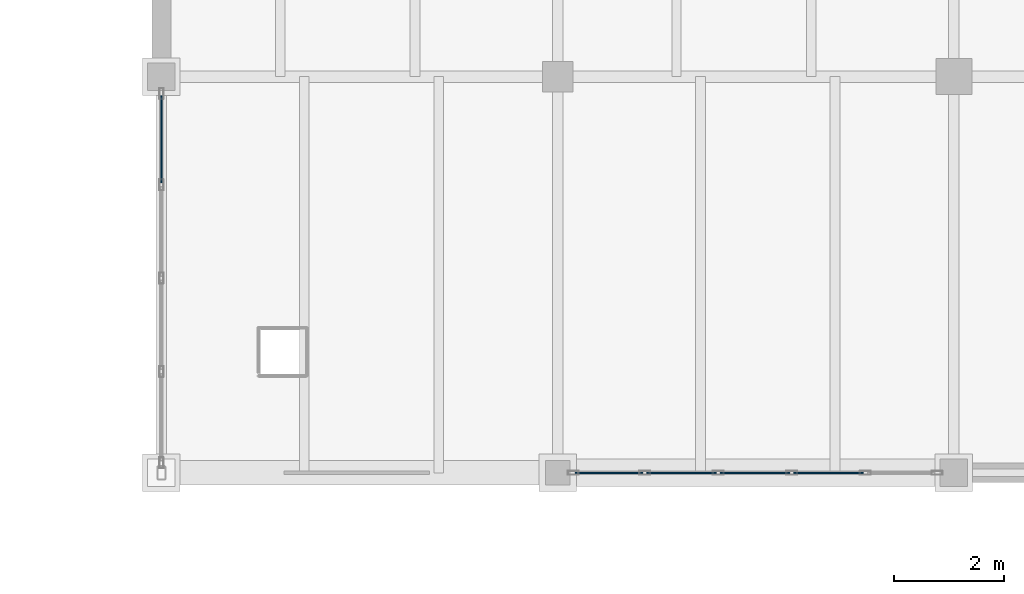
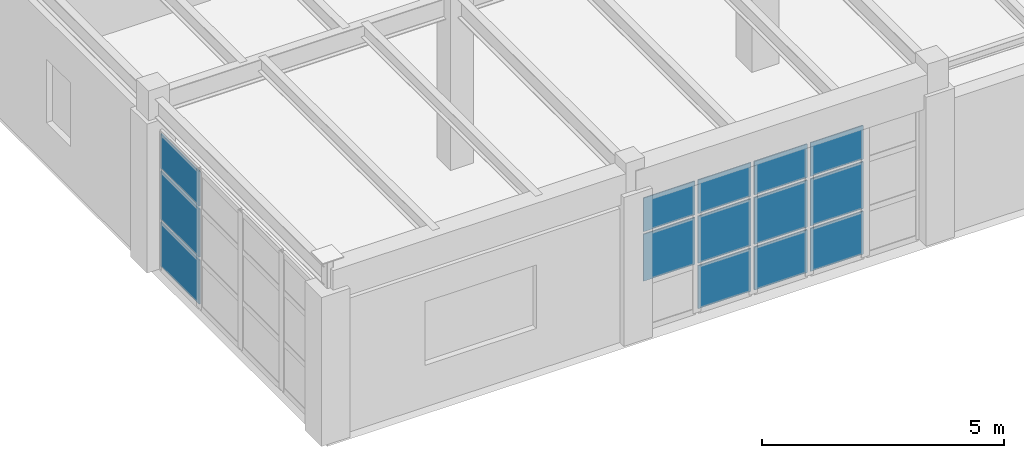
# One storey, part 113 of 137: 14 plates, 2 elements without a shape of their own.
"""IFC4 building model written with IfcOpenShell, lengths in metres."""

from ifc_helpers import new_model, si_unit, direction, frame, origin, origin_2d, place, context, subcontext, project, spatial, rectangle, extrude, material, layer, layer_set, type_object, element, aggregate, save


model = new_model("IFC4")

# Units and contexts
model_context = context("Model", 3, precision=1e-05, world=origin(), true_north=direction((0.0, 1.0)))
body_context = subcontext(model_context, "Body", "Model", "MODEL_VIEW")
ifc_project = project(units=[si_unit("LENGTHUNIT", "METRE"), si_unit("AREAUNIT", "SQUARE_METRE"), si_unit("VOLUMEUNIT", "CUBIC_METRE"), si_unit("PLANEANGLEUNIT", "RADIAN"), si_unit("MASSUNIT", "GRAM", prefix="KILO")], contexts=[model_context])

# Site, building, storey
site_placement = place(None, origin())
site = spatial("IfcSite", under=ifc_project, at=site_placement, CompositionType="ELEMENT")
building_placement = place(site_placement, origin())
building = spatial("IfcBuilding", under=site, at=building_placement, Name="Kemerveld Promenade Tramway Depot", CompositionType="ELEMENT")
storey_placement = place(building_placement, frame((0.0, 0.0, 5.39990234375)))
storey = spatial("IfcBuildingStorey", under=building, at=storey_placement, Name="L01", CompositionType="ELEMENT", Elevation=5.39990234375)

# Curtain wall, plates
ifc_material_1 = material(Name="Bronze anodised aluminium and solar glass", Category="aluminium")
ifc_layer_1 = layer(ifc_material_1, 0.199951171875)
ifc_layer_set_1 = layer_set([ifc_layer_1], Name="CW-SYS-04")
curtain_wall_type_1 = type_object("IfcCurtainWallType", Name="CW-SYS-04", PredefinedType="USERDEFINED", material=ifc_layer_set_1)
curtain_wall_1_placement = place(storey_placement, origin())
curtain_wall_1 = element("IfcCurtainWall", 1, at=curtain_wall_1_placement, inside=storey, type_object=curtain_wall_type_1, Name="CW-L01-V3W-01", ObjectType="GLAZED_CURTAIN_WALL", PredefinedType="USERDEFINED")
ifc_material_2 = material(Name="Solar-control laminated double glazing", Category="glass")
ifc_layer_2 = layer(ifc_material_2, 0.031982421875)
ifc_layer_set_2 = layer_set([ifc_layer_2], Name="CW-PNL-04")
plate_type_1 = type_object("IfcPlateType", Name="CW-PNL-04", PredefinedType="CURTAIN_PANEL", material=ifc_layer_set_2)
plate_1_placement = place(storey_placement, frame((115.199951171875, 56.463134765625, 0.06494140625), z_axis=(0.0, 0.0, 1.0), x_axis=(0.0, 1.0, 0.0)))
plate_1 = element("IfcPlate", 2, at=plate_1_placement, type_object=plate_type_1, Name="CW04 panel 4.1", PredefinedType="CURTAIN_PANEL", context=body_context, shape_type="SweptSolid", body=[
    extrude(rectangle(XDim=1.583740234375, YDim=0.031982421875, at=origin_2d()), origin(), (0.0, 0.0, 1.0), 1.116455078125),
])
plate_2_placement = place(storey_placement, frame((115.199951171875, 56.463134765625, 1.24658203125), z_axis=(0.0, 0.0, 1.0), x_axis=(0.0, 1.0, 0.0)))
plate_2 = element("IfcPlate", 3, at=plate_2_placement, type_object=plate_type_1, Name="CW04 panel 4.2", PredefinedType="CURTAIN_PANEL", context=body_context, shape_type="SweptSolid", body=[
    extrude(rectangle(XDim=1.583740234375, YDim=0.031982421875, at=origin_2d()), origin(), (0.0, 0.0, 1.0), 1.218994140625),
])
plate_3_placement = place(storey_placement, frame((115.199951171875, 56.463134765625, 2.530517578125), z_axis=(0.0, 0.0, 1.0), x_axis=(0.0, 1.0, 0.0)))
plate_3 = element("IfcPlate", 4, at=plate_3_placement, type_object=plate_type_1, Name="CW04 panel 4.3", PredefinedType="CURTAIN_PANEL", context=body_context, shape_type="SweptSolid", body=[
    extrude(rectangle(XDim=1.583740234375, YDim=0.031982421875, at=origin_2d()), origin(), (0.0, 0.0, 1.0), 0.87451171875),
])
aggregate(curtain_wall_1, [plate_1, plate_2, plate_3])

ifc_layer_3 = layer(ifc_material_1, 0.199951171875)
ifc_layer_set_3 = layer_set([ifc_layer_3], Name="CW-SYS-08")
curtain_wall_type_2 = type_object("IfcCurtainWallType", Name="CW-SYS-08", PredefinedType="USERDEFINED", material=ifc_layer_set_3)
curtain_wall_2_placement = place(storey_placement, origin())
curtain_wall_2 = element("IfcCurtainWall", 5, at=curtain_wall_2_placement, inside=storey, type_object=curtain_wall_type_2, Name="CW-L01-V3S-05", ObjectType="GLAZED_CURTAIN_WALL", PredefinedType="USERDEFINED")
ifc_layer_4 = layer(ifc_material_2, 0.028076171875)
ifc_layer_set_4 = layer_set([ifc_layer_4], Name="CW-PNL-08")
plate_type_2 = type_object("IfcPlateType", Name="CW-PNL-08", PredefinedType="CURTAIN_PANEL", material=ifc_layer_set_4)
plate_4_placement = place(storey_placement, frame((127.324462890625, 50.39990234375, 0.065185546875), z_axis=(0.0, 0.0, 1.0), x_axis=(-1.0, 0.0, 0.0)))
plate_4 = element("IfcPlate", 6, at=plate_4_placement, type_object=plate_type_2, Name="CW08 panel 2.1", PredefinedType="CURTAIN_PANEL", context=body_context, shape_type="SweptSolid", body=[
    extrude(rectangle(XDim=1.261962890625, YDim=0.028076171875, at=origin_2d()), origin(), (0.0, 0.0, 1.0), 1.08154296875),
])
plate_5_placement = place(storey_placement, frame((127.324462890625, 50.39990234375, 1.21142578125), z_axis=(0.0, 0.0, 1.0), x_axis=(-1.0, 0.0, 0.0)))
plate_5 = element("IfcPlate", 7, at=plate_5_placement, type_object=plate_type_2, Name="CW08 panel 2.2", PredefinedType="CURTAIN_PANEL", context=body_context, shape_type="SweptSolid", body=[
    extrude(rectangle(XDim=1.261962890625, YDim=0.028076171875, at=origin_2d()), origin(), (0.0, 0.0, 1.0), 1.181884765625),
])
plate_6_placement = place(storey_placement, frame((127.324462890625, 50.39990234375, 2.45849609375), z_axis=(0.0, 0.0, 1.0), x_axis=(-1.0, 0.0, 0.0)))
plate_6 = element("IfcPlate", 8, at=plate_6_placement, type_object=plate_type_2, Name="CW08 panel 2.3", PredefinedType="CURTAIN_PANEL", context=body_context, shape_type="SweptSolid", body=[
    extrude(rectangle(XDim=1.261962890625, YDim=0.028076171875, at=origin_2d()), origin(), (0.0, 0.0, 1.0), 0.846435546875),
])
plate_7_placement = place(storey_placement, frame((125.987548828125, 50.39990234375, 0.065185546875), z_axis=(0.0, 0.0, 1.0), x_axis=(-1.0, 0.0, 0.0)))
plate_7 = element("IfcPlate", 9, at=plate_7_placement, type_object=plate_type_2, Name="CW08 panel 3.1", PredefinedType="CURTAIN_PANEL", context=body_context, shape_type="SweptSolid", body=[
    extrude(rectangle(XDim=1.261962890625, YDim=0.028076171875, at=origin_2d()), origin(), (0.0, 0.0, 1.0), 1.08154296875),
])
plate_8_placement = place(storey_placement, frame((125.987548828125, 50.39990234375, 1.21142578125), z_axis=(0.0, 0.0, 1.0), x_axis=(-1.0, 0.0, 0.0)))
plate_8 = element("IfcPlate", 10, at=plate_8_placement, type_object=plate_type_2, Name="CW08 panel 3.2", PredefinedType="CURTAIN_PANEL", context=body_context, shape_type="SweptSolid", body=[
    extrude(rectangle(XDim=1.261962890625, YDim=0.028076171875, at=origin_2d()), origin(), (0.0, 0.0, 1.0), 1.181884765625),
])
plate_9_placement = place(storey_placement, frame((125.987548828125, 50.39990234375, 2.45849609375), z_axis=(0.0, 0.0, 1.0), x_axis=(-1.0, 0.0, 0.0)))
plate_9 = element("IfcPlate", 11, at=plate_9_placement, type_object=plate_type_2, Name="CW08 panel 3.3", PredefinedType="CURTAIN_PANEL", context=body_context, shape_type="SweptSolid", body=[
    extrude(rectangle(XDim=1.261962890625, YDim=0.028076171875, at=origin_2d()), origin(), (0.0, 0.0, 1.0), 0.846435546875),
])
plate_10_placement = place(storey_placement, frame((124.650390625, 50.39990234375, 0.065185546875), z_axis=(0.0, 0.0, 1.0), x_axis=(-1.0, 0.0, 0.0)))
plate_10 = element("IfcPlate", 12, at=plate_10_placement, type_object=plate_type_2, Name="CW08 panel 4.1", PredefinedType="CURTAIN_PANEL", context=body_context, shape_type="SweptSolid", body=[
    extrude(rectangle(XDim=1.261962890625, YDim=0.028076171875, at=origin_2d()), origin(), (0.0, 0.0, 1.0), 1.08154296875),
])
plate_11_placement = place(storey_placement, frame((124.650390625, 50.39990234375, 1.21142578125), z_axis=(0.0, 0.0, 1.0), x_axis=(-1.0, 0.0, 0.0)))
plate_11 = element("IfcPlate", 13, at=plate_11_placement, type_object=plate_type_2, Name="CW08 panel 4.2", PredefinedType="CURTAIN_PANEL", context=body_context, shape_type="SweptSolid", body=[
    extrude(rectangle(XDim=1.261962890625, YDim=0.028076171875, at=origin_2d()), origin(), (0.0, 0.0, 1.0), 1.181884765625),
])
plate_12_placement = place(storey_placement, frame((124.650390625, 50.39990234375, 2.45849609375), z_axis=(0.0, 0.0, 1.0), x_axis=(-1.0, 0.0, 0.0)))
plate_12 = element("IfcPlate", 14, at=plate_12_placement, type_object=plate_type_2, Name="CW08 panel 4.3", PredefinedType="CURTAIN_PANEL", context=body_context, shape_type="SweptSolid", body=[
    extrude(rectangle(XDim=1.261962890625, YDim=0.028076171875, at=origin_2d()), origin(), (0.0, 0.0, 1.0), 0.846435546875),
])
plate_13_placement = place(storey_placement, frame((123.332275390625, 50.39990234375, 1.21142578125), z_axis=(0.0, 0.0, 1.0), x_axis=(-1.0, 0.0, 0.0)))
plate_13 = element("IfcPlate", 15, at=plate_13_placement, type_object=plate_type_2, Name="CW08 panel 5.2", PredefinedType="CURTAIN_PANEL", context=body_context, shape_type="SweptSolid", body=[
    extrude(rectangle(XDim=1.224609375, YDim=0.028076171875, at=origin_2d()), origin(), (0.0, 0.0, 1.0), 1.181884765625),
])
plate_14_placement = place(storey_placement, frame((123.332275390625, 50.39990234375, 2.45849609375), z_axis=(0.0, 0.0, 1.0), x_axis=(-1.0, 0.0, 0.0)))
plate_14 = element("IfcPlate", 16, at=plate_14_placement, type_object=plate_type_2, Name="CW08 panel 5.3", PredefinedType="CURTAIN_PANEL", context=body_context, shape_type="SweptSolid", body=[
    extrude(rectangle(XDim=1.224609375, YDim=0.028076171875, at=origin_2d()), origin(), (0.0, 0.0, 1.0), 0.846435546875),
])
aggregate(curtain_wall_2, [plate_4, plate_5, plate_6, plate_7, plate_8, plate_9, plate_10, plate_11, plate_12, plate_13, plate_14])

save(model, "model.ifc")
